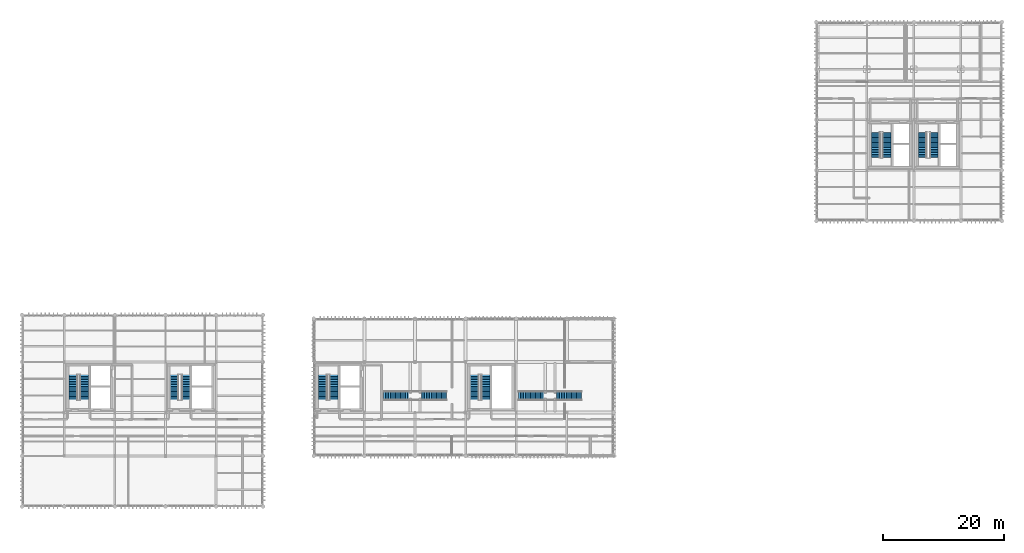
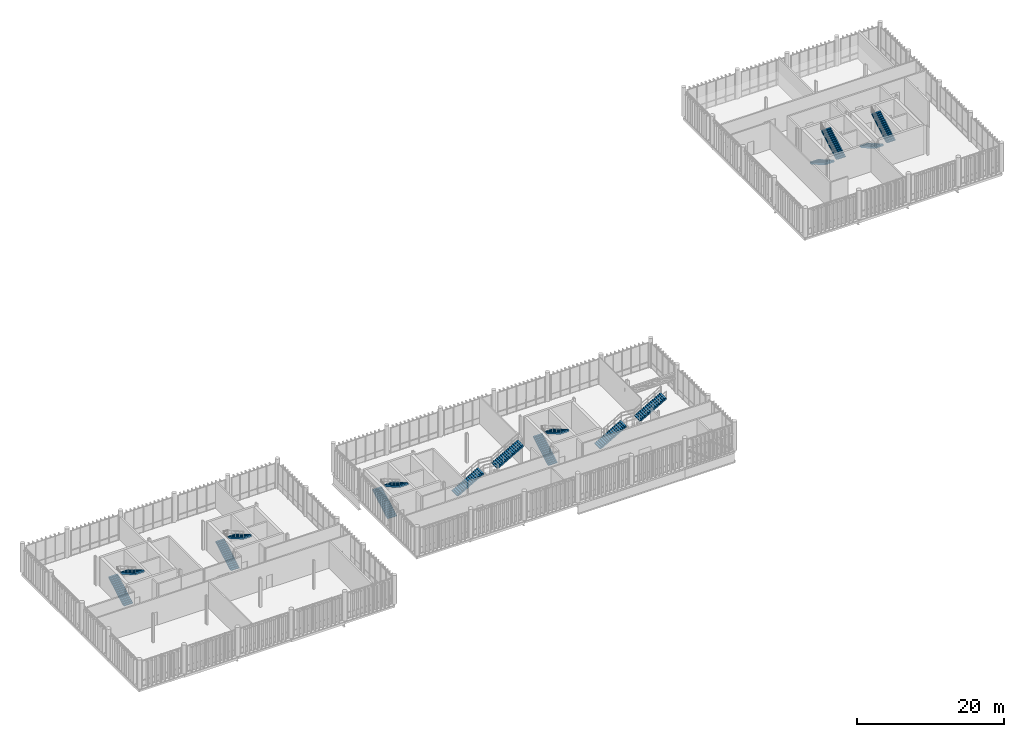
# One storey, part 75 of 86: 16 stair flights, 8 elements without a shape of their own.
"""IFC4 building model written with IfcOpenShell, lengths in metres."""

from ifc_helpers import new_model, si_unit, direction, frame, origin_with_axes, place, context, subcontext, project, spatial, polyline, outline, extrude, material, type_object, element, aggregate, save


model = new_model("IFC4")

# Units and contexts
model_context = context("Model", 3, precision=1e-05, world=origin_with_axes(), true_north=direction((0.0, 1.0)))
body_context = subcontext(model_context, "Body", "Model", "MODEL_VIEW")
ifc_project = project(units=[si_unit("LENGTHUNIT", "METRE"), si_unit("AREAUNIT", "SQUARE_METRE"), si_unit("VOLUMEUNIT", "CUBIC_METRE"), si_unit("PLANEANGLEUNIT", "RADIAN"), si_unit("MASSUNIT", "GRAM", prefix="KILO"), si_unit("THERMODYNAMICTEMPERATUREUNIT", "KELVIN")], contexts=[model_context])

# Site, building, storey
site_placement = place(None, origin_with_axes())
site = spatial("IfcSite", under=ifc_project, at=site_placement, CompositionType="ELEMENT")
building_placement = place(site_placement, origin_with_axes())
building = spatial("IfcBuilding", under=site, at=building_placement, Name="Montbau Bow Law Courts", CompositionType="ELEMENT")
storey_placement = place(building_placement, frame((0.0, 0.0, 29.7), z_axis=(0.0, 0.0, 1.0), x_axis=(1.0, 0.0, 0.0)))
storey = spatial("IfcBuildingStorey", under=building, at=storey_placement, Name="L06", CompositionType="ELEMENT", Elevation=29.7)

# Stair, stair flights
ifc_material_1 = material(Name="Concrete CSA A23.1 f'c 40 MPa", Category="concrete")
stair_type_1 = type_object("IfcStairType", Name="ST-JUD-1500", PredefinedType="HALF_TURN_STAIR", material=ifc_material_1)
stair_1_placement = place(None, frame((32.065, 48.3, 29.7), z_axis=(0.0, 0.0, 1.0), x_axis=(1.0, 0.0, 0.0)))
stair_1 = element("IfcStair", 1, at=stair_1_placement, inside=storey, type_object=stair_type_1, Name="ST-J1-L06:str_0016", PredefinedType="HALF_TURN_STAIR")
stair_flight_type_1 = type_object("IfcStairFlightType", Name="SF-RC-1500B", PredefinedType="STRAIGHT", material=ifc_material_1)
stair_flight_1_placement = place(None, frame((32.065, 48.3, 29.7), z_axis=(0.0, 0.0, 1.0), x_axis=(0.0, 1.0, 0.0)))
stair_flight_1 = element("IfcStairFlight", 2, at=stair_flight_1_placement, type_object=stair_flight_type_1, Name="ST-J1-L06-F1:str_0016_F1", NumberOfRisers=15, NumberOfTreads=14, PredefinedType="STRAIGHT", RiserHeight=0.16, TreadLength=0.28, context=body_context, shape_type="SweptSolid", body=[
    extrude(outline(polyline([(0.0, 0.0), (0.0, 0.16), (0.28, 0.16), (0.28, 0.32), (0.56, 0.32), (0.56, 0.48), (0.84, 0.48), (0.84, 0.64), (1.12, 0.64), (1.12, 0.8), (1.4, 0.8), (1.4, 0.96), (1.68, 0.96), (1.68, 1.12), (1.96, 1.12), (1.96, 1.28), (2.24, 1.28), (2.24, 1.44), (2.52, 1.44), (2.52, 1.6), (2.8, 1.6), (2.8, 1.76), (3.08, 1.76), (3.08, 1.92), (3.36, 1.92), (3.36, 2.08), (3.64, 2.08), (3.64, 2.24), (3.92, 2.24), (3.92, 2.4), (4.2, 2.4), (4.2, 2.158132), (0.423269, 0.0), (0.0, 0.0)])), frame((0.0, 0.67, 0.0), z_axis=(0.0, -1.0, 0.0), x_axis=(1.0, 0.0, 0.0)), (0.0, 0.0, 1.0), 1.34),
])
stair_flight_2_placement = place(None, frame((33.96, 52.5, 32.1), z_axis=(0.0, 0.0, 1.0), x_axis=(0.0, -1.0, 0.0)))
stair_flight_2 = element("IfcStairFlight", 3, at=stair_flight_2_placement, type_object=stair_flight_type_1, Name="ST-J1-L06-F2:str_0016_F2", NumberOfRisers=15, NumberOfTreads=14, PredefinedType="STRAIGHT", RiserHeight=0.16, TreadLength=0.28, context=body_context, shape_type="SweptSolid", body=[
    extrude(outline(polyline([(0.0, 0.0), (0.0, 0.16), (0.28, 0.16), (0.28, 0.32), (0.56, 0.32), (0.56, 0.48), (0.84, 0.48), (0.84, 0.64), (1.12, 0.64), (1.12, 0.8), (1.4, 0.8), (1.4, 0.96), (1.68, 0.96), (1.68, 1.12), (1.96, 1.12), (1.96, 1.28), (2.24, 1.28), (2.24, 1.44), (2.52, 1.44), (2.52, 1.6), (2.8, 1.6), (2.8, 1.76), (3.08, 1.76), (3.08, 1.92), (3.36, 1.92), (3.36, 2.08), (3.64, 2.08), (3.64, 2.24), (3.92, 2.24), (3.92, 2.4), (4.2, 2.4), (4.2, 2.158132), (0.423269, 0.0), (0.0, 0.0)])), frame((0.0, 0.67, 0.0), z_axis=(0.0, -1.0, 0.0), x_axis=(1.0, 0.0, 0.0)), (0.0, 0.0, 1.0), 1.34),
])
aggregate(stair_1, [stair_flight_1, stair_flight_2])

stair_2_placement = place(None, frame((156.265, 92.7, 29.7), z_axis=(0.0, 0.0, 1.0), x_axis=(1.0, 0.0, 0.0)))
stair_2 = element("IfcStair", 4, at=stair_2_placement, inside=storey, type_object=stair_type_1, Name="ST-J2-L06:str_0051", PredefinedType="HALF_TURN_STAIR")
stair_flight_3_placement = place(None, frame((156.265, 92.7, 29.7), z_axis=(0.0, 0.0, 1.0), x_axis=(0.0, -1.0, 0.0)))
stair_flight_3 = element("IfcStairFlight", 5, at=stair_flight_3_placement, type_object=stair_flight_type_1, Name="ST-J2-L06-F1:str_0051_F1", NumberOfRisers=15, NumberOfTreads=14, PredefinedType="STRAIGHT", RiserHeight=0.16, TreadLength=0.28, context=body_context, shape_type="SweptSolid", body=[
    extrude(outline(polyline([(0.0, 0.0), (0.0, 0.16), (0.28, 0.16), (0.28, 0.32), (0.56, 0.32), (0.56, 0.48), (0.84, 0.48), (0.84, 0.64), (1.12, 0.64), (1.12, 0.8), (1.4, 0.8), (1.4, 0.96), (1.68, 0.96), (1.68, 1.12), (1.96, 1.12), (1.96, 1.28), (2.24, 1.28), (2.24, 1.44), (2.52, 1.44), (2.52, 1.6), (2.8, 1.6), (2.8, 1.76), (3.08, 1.76), (3.08, 1.92), (3.36, 1.92), (3.36, 2.08), (3.64, 2.08), (3.64, 2.24), (3.92, 2.24), (3.92, 2.4), (4.2, 2.4), (4.2, 2.158132), (0.423269, 0.0), (0.0, 0.0)])), frame((0.0, 0.67, 0.0), z_axis=(0.0, -1.0, 0.0), x_axis=(1.0, 0.0, 0.0)), (0.0, 0.0, 1.0), 1.34),
])
stair_flight_4_placement = place(None, frame((158.16, 88.5, 32.1), z_axis=(0.0, 0.0, 1.0), x_axis=(0.0, 1.0, 0.0)))
stair_flight_4 = element("IfcStairFlight", 6, at=stair_flight_4_placement, type_object=stair_flight_type_1, Name="ST-J2-L06-F2:str_0051_F2", NumberOfRisers=15, NumberOfTreads=14, PredefinedType="STRAIGHT", RiserHeight=0.16, TreadLength=0.28, context=body_context, shape_type="SweptSolid", body=[
    extrude(outline(polyline([(0.0, 0.0), (0.0, 0.16), (0.28, 0.16), (0.28, 0.32), (0.56, 0.32), (0.56, 0.48), (0.84, 0.48), (0.84, 0.64), (1.12, 0.64), (1.12, 0.8), (1.4, 0.8), (1.4, 0.96), (1.68, 0.96), (1.68, 1.12), (1.96, 1.12), (1.96, 1.28), (2.24, 1.28), (2.24, 1.44), (2.52, 1.44), (2.52, 1.6), (2.8, 1.6), (2.8, 1.76), (3.08, 1.76), (3.08, 1.92), (3.36, 1.92), (3.36, 2.08), (3.64, 2.08), (3.64, 2.24), (3.92, 2.24), (3.92, 2.4), (4.2, 2.4), (4.2, 2.158132), (0.423269, 0.0), (0.0, 0.0)])), frame((0.0, 0.67, 0.0), z_axis=(0.0, -1.0, 0.0), x_axis=(1.0, 0.0, 0.0)), (0.0, 0.0, 1.0), 1.34),
])
aggregate(stair_2, [stair_flight_3, stair_flight_4])

stair_type_2 = type_object("IfcStairType", Name="ST-PUB-1800", PredefinedType="HALF_TURN_STAIR", material=ifc_material_1)
stair_3_placement = place(None, frame((15.305, 48.3, 29.7), z_axis=(0.0, 0.0, 1.0), x_axis=(1.0, 0.0, 0.0)))
stair_3 = element("IfcStair", 7, at=stair_3_placement, inside=storey, type_object=stair_type_2, Name="ST-P1-L06:str_0008", PredefinedType="HALF_TURN_STAIR")
stair_flight_type_2 = type_object("IfcStairFlightType", Name="SF-RC-1800B", PredefinedType="STRAIGHT", material=ifc_material_1)
stair_flight_5_placement = place(None, frame((15.305, 48.3, 29.7), z_axis=(0.0, 0.0, 1.0), x_axis=(0.0, 1.0, 0.0)))
stair_flight_5 = element("IfcStairFlight", 8, at=stair_flight_5_placement, type_object=stair_flight_type_2, Name="ST-P1-L06-F1:str_0008_F1", NumberOfRisers=15, NumberOfTreads=14, PredefinedType="STRAIGHT", RiserHeight=0.16, TreadLength=0.28, context=body_context, shape_type="SweptSolid", body=[
    extrude(outline(polyline([(0.0, 0.0), (0.0, 0.16), (0.28, 0.16), (0.28, 0.32), (0.56, 0.32), (0.56, 0.48), (0.84, 0.48), (0.84, 0.64), (1.12, 0.64), (1.12, 0.8), (1.4, 0.8), (1.4, 0.96), (1.68, 0.96), (1.68, 1.12), (1.96, 1.12), (1.96, 1.28), (2.24, 1.28), (2.24, 1.44), (2.52, 1.44), (2.52, 1.6), (2.8, 1.6), (2.8, 1.76), (3.08, 1.76), (3.08, 1.92), (3.36, 1.92), (3.36, 2.08), (3.64, 2.08), (3.64, 2.24), (3.92, 2.24), (3.92, 2.4), (4.2, 2.4), (4.2, 2.158132), (0.423269, 0.0), (0.0, 0.0)])), frame((0.0, 0.71, 0.0), z_axis=(0.0, -1.0, 0.0), x_axis=(1.0, 0.0, 0.0)), (0.0, 0.0, 1.0), 1.42),
])
stair_flight_6_placement = place(None, frame((17.12, 52.5, 32.1), z_axis=(0.0, 0.0, 1.0), x_axis=(0.0, -1.0, 0.0)))
stair_flight_6 = element("IfcStairFlight", 9, at=stair_flight_6_placement, type_object=stair_flight_type_2, Name="ST-P1-L06-F2:str_0008_F2", NumberOfRisers=15, NumberOfTreads=14, PredefinedType="STRAIGHT", RiserHeight=0.16, TreadLength=0.28, context=body_context, shape_type="SweptSolid", body=[
    extrude(outline(polyline([(0.0, 0.0), (0.0, 0.16), (0.28, 0.16), (0.28, 0.32), (0.56, 0.32), (0.56, 0.48), (0.84, 0.48), (0.84, 0.64), (1.12, 0.64), (1.12, 0.8), (1.4, 0.8), (1.4, 0.96), (1.68, 0.96), (1.68, 1.12), (1.96, 1.12), (1.96, 1.28), (2.24, 1.28), (2.24, 1.44), (2.52, 1.44), (2.52, 1.6), (2.8, 1.6), (2.8, 1.76), (3.08, 1.76), (3.08, 1.92), (3.36, 1.92), (3.36, 2.08), (3.64, 2.08), (3.64, 2.24), (3.92, 2.24), (3.92, 2.4), (4.2, 2.4), (4.2, 2.158132), (0.423269, 0.0), (0.0, 0.0)])), frame((0.0, 0.71, 0.0), z_axis=(0.0, -1.0, 0.0), x_axis=(1.0, 0.0, 0.0)), (0.0, 0.0, 1.0), 1.42),
])
aggregate(stair_3, [stair_flight_5, stair_flight_6])

stair_4_placement = place(None, frame((56.705, 48.3, 29.7), z_axis=(0.0, 0.0, 1.0), x_axis=(1.0, 0.0, 0.0)))
stair_4 = element("IfcStair", 10, at=stair_4_placement, inside=storey, type_object=stair_type_2, Name="ST-P4-L06:str_0024", PredefinedType="HALF_TURN_STAIR")
stair_flight_7_placement = place(None, frame((56.705, 48.3, 29.7), z_axis=(0.0, 0.0, 1.0), x_axis=(0.0, 1.0, 0.0)))
stair_flight_7 = element("IfcStairFlight", 11, at=stair_flight_7_placement, type_object=stair_flight_type_2, Name="ST-P4-L06-F1:str_0024_F1", NumberOfRisers=15, NumberOfTreads=14, PredefinedType="STRAIGHT", RiserHeight=0.16, TreadLength=0.28, context=body_context, shape_type="SweptSolid", body=[
    extrude(outline(polyline([(0.0, 0.0), (0.0, 0.16), (0.28, 0.16), (0.28, 0.32), (0.56, 0.32), (0.56, 0.48), (0.84, 0.48), (0.84, 0.64), (1.12, 0.64), (1.12, 0.8), (1.4, 0.8), (1.4, 0.96), (1.68, 0.96), (1.68, 1.12), (1.96, 1.12), (1.96, 1.28), (2.24, 1.28), (2.24, 1.44), (2.52, 1.44), (2.52, 1.6), (2.8, 1.6), (2.8, 1.76), (3.08, 1.76), (3.08, 1.92), (3.36, 1.92), (3.36, 2.08), (3.64, 2.08), (3.64, 2.24), (3.92, 2.24), (3.92, 2.4), (4.2, 2.4), (4.2, 2.158132), (0.423269, 0.0), (0.0, 0.0)])), frame((0.0, 0.71, 0.0), z_axis=(0.0, -1.0, 0.0), x_axis=(1.0, 0.0, 0.0)), (0.0, 0.0, 1.0), 1.42),
])
stair_flight_8_placement = place(None, frame((58.52, 52.5, 32.1), z_axis=(0.0, 0.0, 1.0), x_axis=(0.0, -1.0, 0.0)))
stair_flight_8 = element("IfcStairFlight", 12, at=stair_flight_8_placement, type_object=stair_flight_type_2, Name="ST-P4-L06-F2:str_0024_F2", NumberOfRisers=15, NumberOfTreads=14, PredefinedType="STRAIGHT", RiserHeight=0.16, TreadLength=0.28, context=body_context, shape_type="SweptSolid", body=[
    extrude(outline(polyline([(0.0, 0.0), (0.0, 0.16), (0.28, 0.16), (0.28, 0.32), (0.56, 0.32), (0.56, 0.48), (0.84, 0.48), (0.84, 0.64), (1.12, 0.64), (1.12, 0.8), (1.4, 0.8), (1.4, 0.96), (1.68, 0.96), (1.68, 1.12), (1.96, 1.12), (1.96, 1.28), (2.24, 1.28), (2.24, 1.44), (2.52, 1.44), (2.52, 1.6), (2.8, 1.6), (2.8, 1.76), (3.08, 1.76), (3.08, 1.92), (3.36, 1.92), (3.36, 2.08), (3.64, 2.08), (3.64, 2.24), (3.92, 2.24), (3.92, 2.4), (4.2, 2.4), (4.2, 2.158132), (0.423269, 0.0), (0.0, 0.0)])), frame((0.0, 0.71, 0.0), z_axis=(0.0, -1.0, 0.0), x_axis=(1.0, 0.0, 0.0)), (0.0, 0.0, 1.0), 1.42),
])
aggregate(stair_4, [stair_flight_7, stair_flight_8])

stair_5_placement = place(None, frame((81.905, 48.3, 29.7), z_axis=(0.0, 0.0, 1.0), x_axis=(1.0, 0.0, 0.0)))
stair_5 = element("IfcStair", 13, at=stair_5_placement, inside=storey, type_object=stair_type_2, Name="ST-P3-L06:str_0032", PredefinedType="HALF_TURN_STAIR")
stair_flight_9_placement = place(None, frame((81.905, 48.3, 29.7), z_axis=(0.0, 0.0, 1.0), x_axis=(0.0, 1.0, 0.0)))
stair_flight_9 = element("IfcStairFlight", 14, at=stair_flight_9_placement, type_object=stair_flight_type_2, Name="ST-P3-L06-F1:str_0032_F1", NumberOfRisers=15, NumberOfTreads=14, PredefinedType="STRAIGHT", RiserHeight=0.16, TreadLength=0.28, context=body_context, shape_type="SweptSolid", body=[
    extrude(outline(polyline([(0.0, 0.0), (0.0, 0.16), (0.28, 0.16), (0.28, 0.32), (0.56, 0.32), (0.56, 0.48), (0.84, 0.48), (0.84, 0.64), (1.12, 0.64), (1.12, 0.8), (1.4, 0.8), (1.4, 0.96), (1.68, 0.96), (1.68, 1.12), (1.96, 1.12), (1.96, 1.28), (2.24, 1.28), (2.24, 1.44), (2.52, 1.44), (2.52, 1.6), (2.8, 1.6), (2.8, 1.76), (3.08, 1.76), (3.08, 1.92), (3.36, 1.92), (3.36, 2.08), (3.64, 2.08), (3.64, 2.24), (3.92, 2.24), (3.92, 2.4), (4.2, 2.4), (4.2, 2.158132), (0.423269, 0.0), (0.0, 0.0)])), frame((0.0, 0.71, 0.0), z_axis=(0.0, -1.0, 0.0), x_axis=(1.0, 0.0, 0.0)), (0.0, 0.0, 1.0), 1.42),
])
stair_flight_10_placement = place(None, frame((83.72, 52.5, 32.1), z_axis=(0.0, 0.0, 1.0), x_axis=(0.0, -1.0, 0.0)))
stair_flight_10 = element("IfcStairFlight", 15, at=stair_flight_10_placement, type_object=stair_flight_type_2, Name="ST-P3-L06-F2:str_0032_F2", NumberOfRisers=15, NumberOfTreads=14, PredefinedType="STRAIGHT", RiserHeight=0.16, TreadLength=0.28, context=body_context, shape_type="SweptSolid", body=[
    extrude(outline(polyline([(0.0, 0.0), (0.0, 0.16), (0.28, 0.16), (0.28, 0.32), (0.56, 0.32), (0.56, 0.48), (0.84, 0.48), (0.84, 0.64), (1.12, 0.64), (1.12, 0.8), (1.4, 0.8), (1.4, 0.96), (1.68, 0.96), (1.68, 1.12), (1.96, 1.12), (1.96, 1.28), (2.24, 1.28), (2.24, 1.44), (2.52, 1.44), (2.52, 1.6), (2.8, 1.6), (2.8, 1.76), (3.08, 1.76), (3.08, 1.92), (3.36, 1.92), (3.36, 2.08), (3.64, 2.08), (3.64, 2.24), (3.92, 2.24), (3.92, 2.4), (4.2, 2.4), (4.2, 2.158132), (0.423269, 0.0), (0.0, 0.0)])), frame((0.0, 0.71, 0.0), z_axis=(0.0, -1.0, 0.0), x_axis=(1.0, 0.0, 0.0)), (0.0, 0.0, 1.0), 1.42),
])
aggregate(stair_5, [stair_flight_9, stair_flight_10])

stair_6_placement = place(None, frame((148.505, 92.7, 29.7), z_axis=(0.0, 0.0, 1.0), x_axis=(1.0, 0.0, 0.0)))
stair_6 = element("IfcStair", 16, at=stair_6_placement, inside=storey, type_object=stair_type_2, Name="ST-P2-L06:str_0040", PredefinedType="HALF_TURN_STAIR")
stair_flight_11_placement = place(None, frame((148.505, 92.7, 29.7), z_axis=(0.0, 0.0, 1.0), x_axis=(0.0, -1.0, 0.0)))
stair_flight_11 = element("IfcStairFlight", 17, at=stair_flight_11_placement, type_object=stair_flight_type_2, Name="ST-P2-L06-F1:str_0040_F1", NumberOfRisers=15, NumberOfTreads=14, PredefinedType="STRAIGHT", RiserHeight=0.16, TreadLength=0.28, context=body_context, shape_type="SweptSolid", body=[
    extrude(outline(polyline([(0.0, 0.0), (0.0, 0.16), (0.28, 0.16), (0.28, 0.32), (0.56, 0.32), (0.56, 0.48), (0.84, 0.48), (0.84, 0.64), (1.12, 0.64), (1.12, 0.8), (1.4, 0.8), (1.4, 0.96), (1.68, 0.96), (1.68, 1.12), (1.96, 1.12), (1.96, 1.28), (2.24, 1.28), (2.24, 1.44), (2.52, 1.44), (2.52, 1.6), (2.8, 1.6), (2.8, 1.76), (3.08, 1.76), (3.08, 1.92), (3.36, 1.92), (3.36, 2.08), (3.64, 2.08), (3.64, 2.24), (3.92, 2.24), (3.92, 2.4), (4.2, 2.4), (4.2, 2.158132), (0.423269, 0.0), (0.0, 0.0)])), frame((0.0, 0.71, 0.0), z_axis=(0.0, -1.0, 0.0), x_axis=(1.0, 0.0, 0.0)), (0.0, 0.0, 1.0), 1.42),
])
stair_flight_12_placement = place(None, frame((150.32, 88.5, 32.1), z_axis=(0.0, 0.0, 1.0), x_axis=(0.0, 1.0, 0.0)))
stair_flight_12 = element("IfcStairFlight", 18, at=stair_flight_12_placement, type_object=stair_flight_type_2, Name="ST-P2-L06-F2:str_0040_F2", NumberOfRisers=15, NumberOfTreads=14, PredefinedType="STRAIGHT", RiserHeight=0.16, TreadLength=0.28, context=body_context, shape_type="SweptSolid", body=[
    extrude(outline(polyline([(0.0, 0.0), (0.0, 0.16), (0.28, 0.16), (0.28, 0.32), (0.56, 0.32), (0.56, 0.48), (0.84, 0.48), (0.84, 0.64), (1.12, 0.64), (1.12, 0.8), (1.4, 0.8), (1.4, 0.96), (1.68, 0.96), (1.68, 1.12), (1.96, 1.12), (1.96, 1.28), (2.24, 1.28), (2.24, 1.44), (2.52, 1.44), (2.52, 1.6), (2.8, 1.6), (2.8, 1.76), (3.08, 1.76), (3.08, 1.92), (3.36, 1.92), (3.36, 2.08), (3.64, 2.08), (3.64, 2.24), (3.92, 2.24), (3.92, 2.4), (4.2, 2.4), (4.2, 2.158132), (0.423269, 0.0), (0.0, 0.0)])), frame((0.0, 0.71, 0.0), z_axis=(0.0, -1.0, 0.0), x_axis=(1.0, 0.0, 0.0)), (0.0, 0.0, 1.0), 1.42),
])
aggregate(stair_6, [stair_flight_11, stair_flight_12])

ifc_material_2 = material(Name="Steel CSA G40.21 Grade 350W (350 MPa)", Category="steel")
stair_type_3 = type_object("IfcStairType", Name="ST-LIB-1600", PredefinedType="STRAIGHT_RUN_STAIR", material=ifc_material_2)
stair_7_placement = place(None, frame((66.8, 49.0, 29.7), z_axis=(0.0, 0.0, 1.0), x_axis=(1.0, 0.0, 0.0)))
stair_7 = element("IfcStair", 19, at=stair_7_placement, inside=storey, type_object=stair_type_3, Name="ST-LIB-01:str_0068", PredefinedType="STRAIGHT_RUN_STAIR")
stair_flight_type_3 = type_object("IfcStairFlightType", Name="SF-ST-1600B", PredefinedType="STRAIGHT", material=ifc_material_2)
stair_flight_13_placement = place(None, frame((66.8, 49.0, 29.7), z_axis=(0.0, 0.0, 1.0), x_axis=(1.0, 0.0, 0.0)))
stair_flight_13 = element("IfcStairFlight", 20, at=stair_flight_13_placement, type_object=stair_flight_type_3, Name="ST-LIB-01-F1:str_0068_F1", NumberOfRisers=15, NumberOfTreads=14, PredefinedType="STRAIGHT", RiserHeight=0.16, TreadLength=0.28, context=body_context, shape_type="SweptSolid", body=[
    extrude(outline(polyline([(0.0, 0.0), (0.0, 0.16), (0.28, 0.16), (0.28, 0.32), (0.56, 0.32), (0.56, 0.48), (0.84, 0.48), (0.84, 0.64), (1.12, 0.64), (1.12, 0.8), (1.4, 0.8), (1.4, 0.96), (1.68, 0.96), (1.68, 1.12), (1.96, 1.12), (1.96, 1.28), (2.24, 1.28), (2.24, 1.44), (2.52, 1.44), (2.52, 1.6), (2.8, 1.6), (2.8, 1.76), (3.08, 1.76), (3.08, 1.92), (3.36, 1.92), (3.36, 2.08), (3.64, 2.08), (3.64, 2.24), (3.92, 2.24), (3.92, 2.4), (4.2, 2.4), (4.2, 2.192685), (0.362802, 0.0), (0.0, 0.0)])), frame((0.0, 0.75, 0.0), z_axis=(0.0, -1.0, 0.0), x_axis=(1.0, 0.0, 0.0)), (0.0, 0.0, 1.0), 1.5),
])
stair_flight_14_placement = place(None, frame((73.05, 49.0, 32.1), z_axis=(0.0, 0.0, 1.0), x_axis=(1.0, 0.0, 0.0)))
stair_flight_14 = element("IfcStairFlight", 21, at=stair_flight_14_placement, type_object=stair_flight_type_3, Name="ST-LIB-01-F2:str_0068_F2", NumberOfRisers=15, NumberOfTreads=14, PredefinedType="STRAIGHT", RiserHeight=0.16, TreadLength=0.28, context=body_context, shape_type="SweptSolid", body=[
    extrude(outline(polyline([(0.0, 0.0), (0.0, 0.16), (0.28, 0.16), (0.28, 0.32), (0.56, 0.32), (0.56, 0.48), (0.84, 0.48), (0.84, 0.64), (1.12, 0.64), (1.12, 0.8), (1.4, 0.8), (1.4, 0.96), (1.68, 0.96), (1.68, 1.12), (1.96, 1.12), (1.96, 1.28), (2.24, 1.28), (2.24, 1.44), (2.52, 1.44), (2.52, 1.6), (2.8, 1.6), (2.8, 1.76), (3.08, 1.76), (3.08, 1.92), (3.36, 1.92), (3.36, 2.08), (3.64, 2.08), (3.64, 2.24), (3.92, 2.24), (3.92, 2.4), (4.2, 2.4), (4.2, 2.192685), (0.362802, 0.0), (0.0, 0.0)])), frame((0.0, 0.75, 0.0), z_axis=(0.0, -1.0, 0.0), x_axis=(1.0, 0.0, 0.0)), (0.0, 0.0, 1.0), 1.5),
])
aggregate(stair_7, [stair_flight_13, stair_flight_14])

stair_8_placement = place(None, frame((89.2, 49.0, 29.7), z_axis=(0.0, 0.0, 1.0), x_axis=(1.0, 0.0, 0.0)))
stair_8 = element("IfcStair", 22, at=stair_8_placement, inside=storey, type_object=stair_type_3, Name="ST-LIB-02:str_0069", PredefinedType="STRAIGHT_RUN_STAIR")
stair_flight_15_placement = place(None, frame((89.2, 49.0, 29.7), z_axis=(0.0, 0.0, 1.0), x_axis=(1.0, 0.0, 0.0)))
stair_flight_15 = element("IfcStairFlight", 23, at=stair_flight_15_placement, type_object=stair_flight_type_3, Name="ST-LIB-02-F1:str_0069_F1", NumberOfRisers=15, NumberOfTreads=14, PredefinedType="STRAIGHT", RiserHeight=0.16, TreadLength=0.28, context=body_context, shape_type="SweptSolid", body=[
    extrude(outline(polyline([(0.0, 0.0), (0.0, 0.16), (0.28, 0.16), (0.28, 0.32), (0.56, 0.32), (0.56, 0.48), (0.84, 0.48), (0.84, 0.64), (1.12, 0.64), (1.12, 0.8), (1.4, 0.8), (1.4, 0.96), (1.68, 0.96), (1.68, 1.12), (1.96, 1.12), (1.96, 1.28), (2.24, 1.28), (2.24, 1.44), (2.52, 1.44), (2.52, 1.6), (2.8, 1.6), (2.8, 1.76), (3.08, 1.76), (3.08, 1.92), (3.36, 1.92), (3.36, 2.08), (3.64, 2.08), (3.64, 2.24), (3.92, 2.24), (3.92, 2.4), (4.2, 2.4), (4.2, 2.192685), (0.362802, 0.0), (0.0, 0.0)])), frame((0.0, 0.75, 0.0), z_axis=(0.0, -1.0, 0.0), x_axis=(1.0, 0.0, 0.0)), (0.0, 0.0, 1.0), 1.5),
])
stair_flight_16_placement = place(None, frame((95.45, 49.0, 32.1), z_axis=(0.0, 0.0, 1.0), x_axis=(1.0, 0.0, 0.0)))
stair_flight_16 = element("IfcStairFlight", 24, at=stair_flight_16_placement, type_object=stair_flight_type_3, Name="ST-LIB-02-F2:str_0069_F2", NumberOfRisers=15, NumberOfTreads=14, PredefinedType="STRAIGHT", RiserHeight=0.16, TreadLength=0.28, context=body_context, shape_type="SweptSolid", body=[
    extrude(outline(polyline([(0.0, 0.0), (0.0, 0.16), (0.28, 0.16), (0.28, 0.32), (0.56, 0.32), (0.56, 0.48), (0.84, 0.48), (0.84, 0.64), (1.12, 0.64), (1.12, 0.8), (1.4, 0.8), (1.4, 0.96), (1.68, 0.96), (1.68, 1.12), (1.96, 1.12), (1.96, 1.28), (2.24, 1.28), (2.24, 1.44), (2.52, 1.44), (2.52, 1.6), (2.8, 1.6), (2.8, 1.76), (3.08, 1.76), (3.08, 1.92), (3.36, 1.92), (3.36, 2.08), (3.64, 2.08), (3.64, 2.24), (3.92, 2.24), (3.92, 2.4), (4.2, 2.4), (4.2, 2.192685), (0.362802, 0.0), (0.0, 0.0)])), frame((0.0, 0.75, 0.0), z_axis=(0.0, -1.0, 0.0), x_axis=(1.0, 0.0, 0.0)), (0.0, 0.0, 1.0), 1.5),
])
aggregate(stair_8, [stair_flight_15, stair_flight_16])

save(model, "model.ifc")
